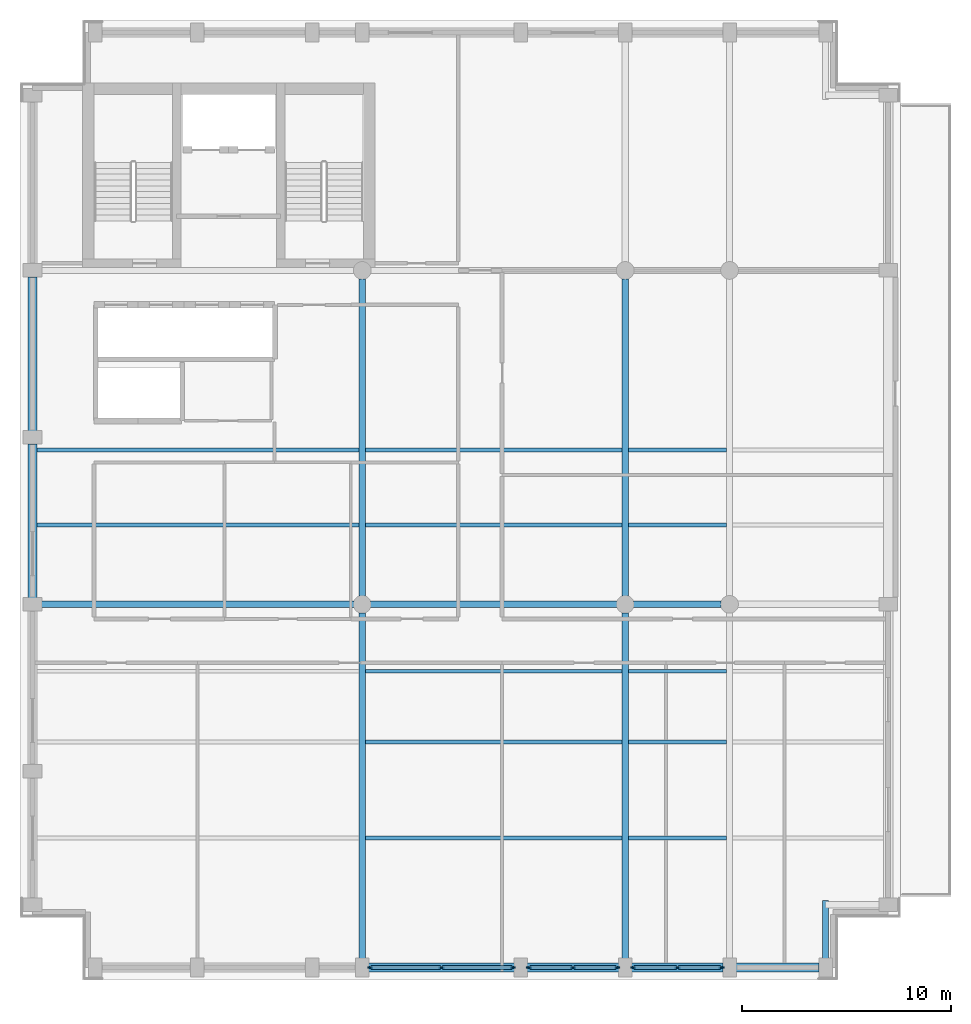
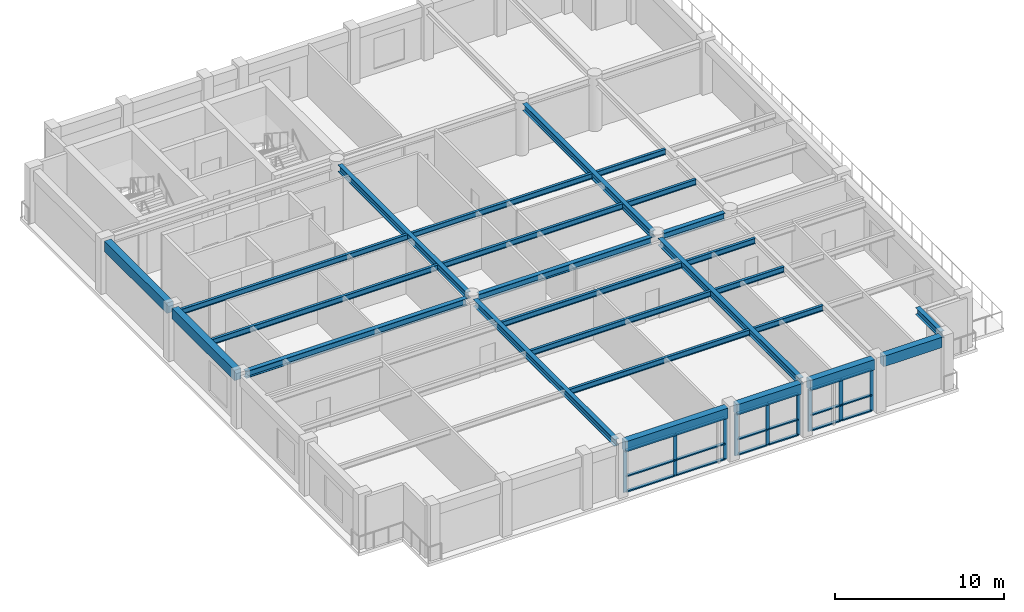
# One storey, part 2 of 9: 27 members, 26 beams, 3 elements without a shape of their own.
"""IFC4 building model written with IfcOpenShell, lengths in metres."""

import ifcopenshell
import ifcopenshell.guid

model = None  # the IFC model being written
_history = None  # IfcOwnerHistory: only IFC2X3 demands one
_inside = {}  # id of a spatial element -> (the spatial element, [elements in it])
_under = {}  # id of a project, library or spatial element -> (it, [spatial elements below it])
_declared = {}  # id of a project -> (the project, [libraries it declares])
_typed = {}  # id of a type object -> (the type object, [elements of that type])
_made_of = {}  # id of a material, layer set ... -> (it, [elements and type objects made of it])


def new_model(schema):
    """Start an empty IFC model of exactly this schema.

    Asked for "IFC4X3", IfcOpenShell would pick the latest addendum, in which some entities
    have other attributes; the version numbers below select the first issue.
    IFC2X3 requires an IfcOwnerHistory on every rooted entity: one is made here for all.
    """
    global model, _history
    if schema == "IFC4X3":
        model = ifcopenshell.file(schema_version=(4, 3, 0, 0))
    else:
        model = ifcopenshell.file(schema=schema)
    _inside.clear()
    _under.clear()
    _declared.clear()
    _typed.clear()
    _made_of.clear()
    _history = None
    if model.schema == "IFC2X3":
        org = make("IfcOrganization", Name="unknown")
        user = make(
            "IfcPersonAndOrganization",
            ThePerson=make("IfcPerson", FamilyName="unknown"),
            TheOrganization=org,
        )
        app = make(
            "IfcApplication",
            ApplicationDeveloper=org,
            Version="unknown",
            ApplicationFullName="unknown",
            ApplicationIdentifier="unknown",
        )
        _history = make(
            "IfcOwnerHistory",
            OwningUser=user,
            OwningApplication=app,
            ChangeAction="ADDED",
            CreationDate=0,
        )
    return model


def make(cls, **values):
    """One entity of the class cls with the attributes given. An attribute that is None is left unset."""
    return model.create_entity(
        cls, **{name: value for name, value in values.items() if value is not None}
    )


def rooted(cls, **values):
    """An entity with a GlobalId (a new one), such as an element, a storey or a relation."""
    return make(cls, GlobalId=ifcopenshell.guid.new(), OwnerHistory=_history, **values)


def si_unit(unit_type, name, prefix=None):
    """IfcSIUnit, for example si_unit("LENGTHUNIT", "METRE", prefix="MILLI")."""
    return make("IfcSIUnit", UnitType=unit_type, Prefix=prefix, Name=name)


def assignment(units):
    """IfcUnitAssignment: the units of a project."""
    return None if units is None else make("IfcUnitAssignment", Units=units)


def point(xyz):
    """IfcCartesianPoint."""
    return None if xyz is None else make("IfcCartesianPoint", Coordinates=xyz)


def direction(xyz):
    """IfcDirection."""
    return None if xyz is None else make("IfcDirection", DirectionRatios=xyz)


def frame(location, z_axis=None, x_axis=None):
    """IfcAxis2Placement3D, a coordinate frame: its origin and axes. An axis left out is left unset."""
    return make(
        "IfcAxis2Placement3D",
        Location=point(location),
        Axis=direction(z_axis),
        RefDirection=direction(x_axis),
    )


def frame_2d(location, x_axis=None):
    """IfcAxis2Placement2D, a coordinate frame in the plane: its origin and x axis."""
    return make(
        "IfcAxis2Placement2D", Location=point(location), RefDirection=direction(x_axis)
    )


def origin():
    """The frame at (0, 0, 0) with its axes left unset."""
    return frame((0.0, 0.0, 0.0))


def origin_2d():
    """The frame at (0, 0) in the plane with its x axis left unset."""
    return frame_2d((0.0, 0.0))


def place(relative_to, where):
    """IfcLocalPlacement: puts the frame where relative to a parent placement (None: the world)."""
    return make(
        "IfcLocalPlacement", PlacementRelTo=relative_to, RelativePlacement=where
    )


def context(
    kind, dimensions, precision=None, world=None, true_north=None, identifier=None
):
    """IfcGeometricRepresentationContext, for example the 3D "Model" context."""
    return make(
        "IfcGeometricRepresentationContext",
        ContextIdentifier=identifier,
        ContextType=kind,
        CoordinateSpaceDimension=dimensions,
        Precision=precision,
        WorldCoordinateSystem=world,
        TrueNorth=true_north,
    )


def subcontext(parent, identifier, kind, view, scale=None):
    """IfcGeometricRepresentationSubContext, for example "Body" below "Model"."""
    return make(
        "IfcGeometricRepresentationSubContext",
        ContextIdentifier=identifier,
        ContextType=kind,
        ParentContext=parent,
        TargetScale=scale,
        TargetView=view,
    )


def project(units=None, contexts=None):
    """IfcProject with its units and contexts."""
    return rooted(
        "IfcProject",
        Name="project",
        RepresentationContexts=contexts,
        UnitsInContext=assignment(units),
    )


def spatial(cls, under=None, at=None, **own):
    """A site, building, storey or space (cls), placed at a placement, below another one or the project."""
    s = rooted(cls, ObjectPlacement=at, **own)
    if under is not None:
        _under.setdefault(under.id(), (under, []))[1].append(s)
    return s


def profile(cls, at=None, kind="AREA", **sizes):
    """A parametric profile (cls). Its sizes go by their IFC names, for example OverallWidth=200.0."""
    return make(cls, ProfileType=kind, Position=at, **sizes)


def rectangle(**sizes):
    """IfcRectangleProfileDef."""
    return profile("IfcRectangleProfileDef", **sizes)


def i_section(**sizes):
    """IfcIShapeProfileDef."""
    return profile("IfcIShapeProfileDef", **sizes)


def extrude(swept, where, along, depth):
    """IfcExtrudedAreaSolid: the profile swept, set in the frame where, extruded along a direction by depth."""
    return make(
        "IfcExtrudedAreaSolid",
        SweptArea=swept,
        Position=where,
        ExtrudedDirection=direction(along),
        Depth=depth,
    )


def shape(context_of_items, identifier, shape_type, items):
    """IfcShapeRepresentation: the items that make up one representation, for example the "Body"."""
    return make(
        "IfcShapeRepresentation",
        ContextOfItems=context_of_items,
        RepresentationIdentifier=identifier,
        RepresentationType=shape_type,
        Items=items,
    )


def material(Name=None, Category=None):
    """IfcMaterial."""
    return make("IfcMaterial", Name=Name, Category=Category)


def layer(
    of_material, thickness, ventilated=None, Name=None, Category=None, Priority=None
):
    """IfcMaterialLayer: one layer of a wall or slab, of a material (None: an air gap)."""
    return make(
        "IfcMaterialLayer",
        Material=of_material,
        LayerThickness=thickness,
        IsVentilated=ventilated,
        Name=Name,
        Category=Category,
        Priority=Priority,
    )


def layer_set(layers, Name=None):
    """IfcMaterialLayerSet."""
    return make("IfcMaterialLayerSet", MaterialLayers=layers, LayerSetName=Name)


def material_profile(
    of_material, cross_section, Name=None, Category=None, Priority=None
):
    """IfcMaterialProfile: a cross section and its material."""
    return make(
        "IfcMaterialProfile",
        Name=Name,
        Material=of_material,
        Profile=cross_section,
        Priority=Priority,
        Category=Category,
    )


def profile_set(profiles, Name=None, composite=None):
    """IfcMaterialProfileSet."""
    return make(
        "IfcMaterialProfileSet",
        Name=Name,
        MaterialProfiles=profiles,
        CompositeProfile=composite,
    )


def made_of(thing, what):
    """Note that an element or type object is made of a material, layer set ...; save() writes the relation."""
    if what is not None:
        _made_of.setdefault(what.id(), (what, []))[1].append(thing)
    return thing


def type_object(cls, material=None, **own):
    """A type object (cls), such as IfcWallType, which elements share."""
    return made_of(rooted(cls, **own), material)


def element(
    cls,
    number,
    at=None,
    inside=None,
    cuts=None,
    type_object=None,
    material=None,
    context=None,
    identifier="Body",
    shape_type=None,
    held_by="IfcProductDefinitionShape",
    body=None,
    shapes=None,
    **own,
):
    """One element of the class cls, such as IfcWall. Its Tag is "e" and its number.

    at: its placement. inside: the storey or other place that contains it. cuts: it is an
    opening in that element (IfcRelVoidsElement). A single representation is given by context,
    identifier, shape_type and body (its items); several are given by shapes. held_by: the class
    of the entity that holds the representations. save() writes the other relations.
    """
    e = rooted(cls, Tag="e%d" % number, ObjectPlacement=at, **own)
    if body is not None:
        shapes = [shape(context, identifier, shape_type, body)]
    if shapes is not None:
        e.Representation = make(held_by, Representations=shapes)
    if inside is not None:
        _inside.setdefault(inside.id(), (inside, []))[1].append(e)
    if cuts is not None:
        rooted(
            "IfcRelVoidsElement", RelatingBuildingElement=cuts, RelatedOpeningElement=e
        )
    if type_object is not None:
        _typed.setdefault(type_object.id(), (type_object, []))[1].append(e)
    return made_of(e, material)


def aggregate(whole, parts):
    """IfcRelAggregates: a whole, such as a stair, and the parts it consists of."""
    return rooted("IfcRelAggregates", RelatingObject=whole, RelatedObjects=parts)


def save(model, path):
    """Write the relations noted so far, then the file.

    IfcRelAggregates (storeys below a building ...), IfcRelContainedInSpatialStructure (elements
    in a storey), IfcRelDefinesByType, IfcRelAssociatesMaterial and IfcRelDeclares: one each for
    every whole, place, type object, material and project.
    """
    for whole, parts in _under.values():
        aggregate(whole, parts)
    for where, things in _inside.values():
        rooted(
            "IfcRelContainedInSpatialStructure",
            RelatedElements=things,
            RelatingStructure=where,
        )
    for kind, things in _typed.values():
        rooted("IfcRelDefinesByType", RelatedObjects=things, RelatingType=kind)
    for what, things in _made_of.values():
        rooted("IfcRelAssociatesMaterial", RelatedObjects=things, RelatingMaterial=what)
    for by, libraries in _declared.values():
        rooted("IfcRelDeclares", RelatingContext=by, RelatedDefinitions=libraries)
    model.write(path)


model = new_model("IFC4")

# Units and contexts
model_context = context("Model", 3, precision=1e-05, world=origin(), true_north=direction((0.0, 1.0)))
body_context = subcontext(model_context, "Body", "Model", "MODEL_VIEW")
ifc_project = project(units=[si_unit("LENGTHUNIT", "METRE"), si_unit("AREAUNIT", "SQUARE_METRE"), si_unit("VOLUMEUNIT", "CUBIC_METRE"), si_unit("PLANEANGLEUNIT", "RADIAN"), si_unit("MASSUNIT", "GRAM", prefix="KILO")], contexts=[model_context])

# Site, building, storey
site_placement = place(None, origin())
site = spatial("IfcSite", under=ifc_project, at=site_placement, CompositionType="ELEMENT")
building_placement = place(site_placement, origin())
building = spatial("IfcBuilding", under=site, at=building_placement, Name="Sulina Concourse Tower", CompositionType="ELEMENT")
storey_placement = place(building_placement, frame((0.0, 0.0, 297.0)))
storey = spatial("IfcBuildingStorey", under=building, at=storey_placement, Name="L72", CompositionType="ELEMENT", Elevation=297.0)

# Beams
ifc_material_1 = material(Name="Steel S355", Category="steel")
ifc_material_profile_1 = material_profile(ifc_material_1, i_section(OverallWidth=0.300048828125, OverallDepth=0.5, WebThickness=0.014404296875, FlangeThickness=0.028076171875, at=origin_2d()), Name="HE 500 B")
ifc_profile_set_1 = profile_set([ifc_material_profile_1], Name="Steel S355")
beam_type_1 = type_object("IfcBeamType", Name="Crown & Canopy Primary Girder HE500B", PredefinedType="BEAM", material=ifc_profile_set_1)
beam_1_placement = place(storey_placement, frame((38.60009765625, 0.905029296875, 3.52490234375), z_axis=(0.0, 1.0, 0.0), x_axis=(-1.0, 0.0, 0.0)))
element("IfcBeam", 1, at=beam_1_placement, inside=storey, type_object=beam_type_1, Name="TIE-SES-L72", PredefinedType="BEAM", context=body_context, shape_type="SweptSolid", body=[
    extrude(i_section(OverallWidth=0.300048828125, OverallDepth=0.5, WebThickness=0.014404296875, FlangeThickness=0.028076171875, at=origin_2d()), origin(), (0.0, 0.0, 1.0), 2.89501953125),
])
beam_2_placement = place(storey_placement, frame((0.905029296875, 18.0, 3.52490234375), z_axis=(1.0, 0.0, 0.0), x_axis=(0.0, 1.0, 0.0)))
element("IfcBeam", 2, at=beam_2_placement, inside=storey, type_object=beam_type_1, Name="FG-EW1-L72", PredefinedType="BEAM", context=body_context, shape_type="SweptSolid", body=[
    extrude(i_section(OverallWidth=0.300048828125, OverallDepth=0.5, WebThickness=0.014404296875, FlangeThickness=0.028076171875, at=origin_2d()), origin(), (0.0, 0.0, 1.0), 15.090087890625),
])
beam_3_placement = place(storey_placement, frame((16.804931640625, 18.0, 3.52490234375), z_axis=(1.0, 0.0, 0.0), x_axis=(0.0, 1.0, 0.0)))
element("IfcBeam", 3, at=beam_3_placement, inside=storey, type_object=beam_type_1, Name="FG-EW2-L72", PredefinedType="BEAM", context=body_context, shape_type="SweptSolid", body=[
    extrude(i_section(OverallWidth=0.300048828125, OverallDepth=0.5, WebThickness=0.014404296875, FlangeThickness=0.028076171875, at=origin_2d()), origin(), (0.0, 0.0, 1.0), 11.7900390625),
])
beam_4_placement = place(storey_placement, frame((29.405029296875, 18.0, 3.52490234375), z_axis=(1.0, 0.0, 0.0), x_axis=(0.0, 1.0, 0.0)))
element("IfcBeam", 4, at=beam_4_placement, inside=storey, type_object=beam_type_1, Name="FG-EW3-L72", PredefinedType="BEAM", context=body_context, shape_type="SweptSolid", body=[
    extrude(i_section(OverallWidth=0.300048828125, OverallDepth=0.5, WebThickness=0.014404296875, FlangeThickness=0.028076171875, at=origin_2d()), origin(), (0.0, 0.0, 1.0), 4.18994140625),
])
beam_5_placement = place(storey_placement, frame((16.39990234375, 0.905029296875, 3.52490234375), z_axis=(0.0, 1.0, 0.0), x_axis=(-1.0, 0.0, 0.0)))
element("IfcBeam", 5, at=beam_5_placement, inside=storey, type_object=beam_type_1, Name="FG-NSA-16-L72", PredefinedType="BEAM", context=body_context, shape_type="SweptSolid", body=[
    extrude(i_section(OverallWidth=0.300048828125, OverallDepth=0.5, WebThickness=0.014404296875, FlangeThickness=0.028076171875, at=origin_2d()), origin(), (0.0, 0.0, 1.0), 16.68994140625),
])
beam_6_placement = place(storey_placement, frame((16.39990234375, 18.405029296875, 3.52490234375), z_axis=(0.0, 1.0, 0.0), x_axis=(-1.0, 0.0, 0.0)))
element("IfcBeam", 6, at=beam_6_placement, inside=storey, type_object=beam_type_1, Name="FG-NSB-16-L72", PredefinedType="BEAM", context=body_context, shape_type="SweptSolid", body=[
    extrude(i_section(OverallWidth=0.300048828125, OverallDepth=0.5, WebThickness=0.014404296875, FlangeThickness=0.028076171875, at=origin_2d()), origin(), (0.0, 0.0, 1.0), 15.18994140625),
])
beam_7_placement = place(storey_placement, frame((29.0, 0.905029296875, 3.52490234375), z_axis=(0.0, 1.0, 0.0), x_axis=(-1.0, 0.0, 0.0)))
element("IfcBeam", 7, at=beam_7_placement, inside=storey, type_object=beam_type_1, Name="FG-NSA-29-L72", PredefinedType="BEAM", context=body_context, shape_type="SweptSolid", body=[
    extrude(i_section(OverallWidth=0.300048828125, OverallDepth=0.5, WebThickness=0.014404296875, FlangeThickness=0.028076171875, at=origin_2d()), origin(), (0.0, 0.0, 1.0), 16.68994140625),
])
beam_8_placement = place(storey_placement, frame((29.0, 18.405029296875, 3.52490234375), z_axis=(0.0, 1.0, 0.0), x_axis=(-1.0, 0.0, 0.0)))
element("IfcBeam", 8, at=beam_8_placement, inside=storey, type_object=beam_type_1, Name="FG-NSB-29-L72", PredefinedType="BEAM", context=body_context, shape_type="SweptSolid", body=[
    extrude(i_section(OverallWidth=0.300048828125, OverallDepth=0.5, WebThickness=0.014404296875, FlangeThickness=0.028076171875, at=origin_2d()), origin(), (0.0, 0.0, 1.0), 15.18994140625),
])
ifc_material_2 = material(Name="Steel S355", Category="steel")
ifc_material_profile_2 = material_profile(ifc_material_2, i_section(OverallWidth=0.179931640625, OverallDepth=0.39990234375, WebThickness=0.008544921875, FlangeThickness=0.013427734375, at=origin_2d()), Name="IPE 400")
ifc_profile_set_2 = profile_set([ifc_material_profile_2], Name="Steel S355")
beam_type_2 = type_object("IfcBeamType", Name="Crown & Terrace Joist IPE400", PredefinedType="JOIST", material=ifc_profile_set_2)
beam_9_placement = place(storey_placement, frame((16.550048828125, 6.800048828125, 3.574951171875), z_axis=(1.0, 0.0, 0.0), x_axis=(0.0, 1.0, 0.0)))
element("IfcBeam", 9, at=beam_9_placement, inside=storey, type_object=beam_type_2, Name="FJ-J06-2-L72", PredefinedType="JOIST", context=body_context, shape_type="SweptSolid", body=[
    extrude(i_section(OverallWidth=0.179931640625, OverallDepth=0.39990234375, WebThickness=0.008544921875, FlangeThickness=0.013427734375, at=origin_2d()), origin(), (0.0, 0.0, 1.0), 12.300048828125),
])
beam_10_placement = place(storey_placement, frame((29.14990234375, 6.800048828125, 3.574951171875), z_axis=(1.0, 0.0, 0.0), x_axis=(0.0, 1.0, 0.0)))
element("IfcBeam", 10, at=beam_10_placement, inside=storey, type_object=beam_type_2, Name="FJ-J06-3-L72", PredefinedType="JOIST", context=body_context, shape_type="SweptSolid", body=[
    extrude(i_section(OverallWidth=0.179931640625, OverallDepth=0.39990234375, WebThickness=0.008544921875, FlangeThickness=0.013427734375, at=origin_2d()), origin(), (0.0, 0.0, 1.0), 4.7001953125),
])
beam_11_placement = place(storey_placement, frame((16.550048828125, 11.39990234375, 3.574951171875), z_axis=(1.0, 0.0, 0.0), x_axis=(0.0, 1.0, 0.0)))
element("IfcBeam", 11, at=beam_11_placement, inside=storey, type_object=beam_type_2, Name="FJ-J11-2-L72", PredefinedType="JOIST", context=body_context, shape_type="SweptSolid", body=[
    extrude(i_section(OverallWidth=0.179931640625, OverallDepth=0.39990234375, WebThickness=0.008544921875, FlangeThickness=0.013427734375, at=origin_2d()), origin(), (0.0, 0.0, 1.0), 12.300048828125),
])
beam_12_placement = place(storey_placement, frame((29.14990234375, 11.39990234375, 3.574951171875), z_axis=(1.0, 0.0, 0.0), x_axis=(0.0, 1.0, 0.0)))
element("IfcBeam", 12, at=beam_12_placement, inside=storey, type_object=beam_type_2, Name="FJ-J11-3-L72", PredefinedType="JOIST", context=body_context, shape_type="SweptSolid", body=[
    extrude(i_section(OverallWidth=0.179931640625, OverallDepth=0.39990234375, WebThickness=0.008544921875, FlangeThickness=0.013427734375, at=origin_2d()), origin(), (0.0, 0.0, 1.0), 4.7001953125),
])
beam_13_placement = place(storey_placement, frame((16.550048828125, 14.800048828125, 3.574951171875), z_axis=(1.0, 0.0, 0.0), x_axis=(0.0, 1.0, 0.0)))
element("IfcBeam", 13, at=beam_13_placement, inside=storey, type_object=beam_type_2, Name="FJ-J15-2-L72", PredefinedType="JOIST", context=body_context, shape_type="SweptSolid", body=[
    extrude(i_section(OverallWidth=0.179931640625, OverallDepth=0.39990234375, WebThickness=0.008544921875, FlangeThickness=0.013427734375, at=origin_2d()), origin(), (0.0, 0.0, 1.0), 12.300048828125),
])
beam_14_placement = place(storey_placement, frame((29.14990234375, 14.800048828125, 3.574951171875), z_axis=(1.0, 0.0, 0.0), x_axis=(0.0, 1.0, 0.0)))
element("IfcBeam", 14, at=beam_14_placement, inside=storey, type_object=beam_type_2, Name="FJ-J15-3-L72", PredefinedType="JOIST", context=body_context, shape_type="SweptSolid", body=[
    extrude(i_section(OverallWidth=0.179931640625, OverallDepth=0.39990234375, WebThickness=0.008544921875, FlangeThickness=0.013427734375, at=origin_2d()), origin(), (0.0, 0.0, 1.0), 4.7001953125),
])
beam_15_placement = place(storey_placement, frame((0.824951171875, 21.800048828125, 3.574951171875), z_axis=(1.0, 0.0, 0.0), x_axis=(0.0, 1.0, 0.0)))
element("IfcBeam", 15, at=beam_15_placement, inside=storey, type_object=beam_type_2, Name="FJ-J22-1-L72", PredefinedType="JOIST", context=body_context, shape_type="SweptSolid", body=[
    extrude(i_section(OverallWidth=0.179931640625, OverallDepth=0.39990234375, WebThickness=0.008544921875, FlangeThickness=0.013427734375, at=origin_2d()), origin(), (0.0, 0.0, 1.0), 15.425048828125),
])
beam_16_placement = place(storey_placement, frame((16.550048828125, 21.800048828125, 3.574951171875), z_axis=(1.0, 0.0, 0.0), x_axis=(0.0, 1.0, 0.0)))
element("IfcBeam", 16, at=beam_16_placement, inside=storey, type_object=beam_type_2, Name="FJ-J22-2-L72", PredefinedType="JOIST", context=body_context, shape_type="SweptSolid", body=[
    extrude(i_section(OverallWidth=0.179931640625, OverallDepth=0.39990234375, WebThickness=0.008544921875, FlangeThickness=0.013427734375, at=origin_2d()), origin(), (0.0, 0.0, 1.0), 12.300048828125),
])
beam_17_placement = place(storey_placement, frame((29.14990234375, 21.800048828125, 3.574951171875), z_axis=(1.0, 0.0, 0.0), x_axis=(0.0, 1.0, 0.0)))
element("IfcBeam", 17, at=beam_17_placement, inside=storey, type_object=beam_type_2, Name="FJ-J22-3-L72", PredefinedType="JOIST", context=body_context, shape_type="SweptSolid", body=[
    extrude(i_section(OverallWidth=0.179931640625, OverallDepth=0.39990234375, WebThickness=0.008544921875, FlangeThickness=0.013427734375, at=origin_2d()), origin(), (0.0, 0.0, 1.0), 4.7001953125),
])
beam_18_placement = place(storey_placement, frame((0.824951171875, 25.39990234375, 3.574951171875), z_axis=(1.0, 0.0, 0.0), x_axis=(0.0, 1.0, 0.0)))
element("IfcBeam", 18, at=beam_18_placement, inside=storey, type_object=beam_type_2, Name="FJ-J25-1-L72", PredefinedType="JOIST", context=body_context, shape_type="SweptSolid", body=[
    extrude(i_section(OverallWidth=0.179931640625, OverallDepth=0.39990234375, WebThickness=0.008544921875, FlangeThickness=0.013427734375, at=origin_2d()), origin(), (0.0, 0.0, 1.0), 15.425048828125),
])
beam_19_placement = place(storey_placement, frame((16.550048828125, 25.39990234375, 3.574951171875), z_axis=(1.0, 0.0, 0.0), x_axis=(0.0, 1.0, 0.0)))
element("IfcBeam", 19, at=beam_19_placement, inside=storey, type_object=beam_type_2, Name="FJ-J25-2-L72", PredefinedType="JOIST", context=body_context, shape_type="SweptSolid", body=[
    extrude(i_section(OverallWidth=0.179931640625, OverallDepth=0.39990234375, WebThickness=0.008544921875, FlangeThickness=0.013427734375, at=origin_2d()), origin(), (0.0, 0.0, 1.0), 12.300048828125),
])
beam_20_placement = place(storey_placement, frame((29.14990234375, 25.39990234375, 3.574951171875), z_axis=(1.0, 0.0, 0.0), x_axis=(0.0, 1.0, 0.0)))
element("IfcBeam", 20, at=beam_20_placement, inside=storey, type_object=beam_type_2, Name="FJ-J25-3-L72", PredefinedType="JOIST", context=body_context, shape_type="SweptSolid", body=[
    extrude(i_section(OverallWidth=0.179931640625, OverallDepth=0.39990234375, WebThickness=0.008544921875, FlangeThickness=0.013427734375, at=origin_2d()), origin(), (0.0, 0.0, 1.0), 4.7001953125),
])

# Curtain wall, members
ifc_material_3 = material(Name="Anodised bronze aluminium", Category="aluminium")
ifc_layer = layer(ifc_material_3, 0.27001953125)
ifc_layer_set = layer_set([ifc_layer], Name="Anodised bronze aluminium")
curtain_wall_type = type_object("IfcCurtainWallType", Name="Stepped Crown Observation Curtain Wall System", PredefinedType="NOTDEFINED", material=ifc_layer_set)
curtain_wall_1_placement = place(storey_placement, origin())
curtain_wall_1 = element("IfcCurtainWall", 21, at=curtain_wall_1_placement, inside=storey, type_object=curtain_wall_type, Name="L72 glazed curtain wall S4", PredefinedType="NOTDEFINED")
ifc_material_4 = material(Name="Anodised bronze aluminium", Category="aluminium")
ifc_material_profile_3 = material_profile(ifc_material_4, rectangle(XDim=0.0849609375, YDim=0.25, at=origin_2d()), Name="MUL 85x250")
ifc_profile_set_3 = profile_set([ifc_material_profile_3], Name="Anodised bronze aluminium")
member_type_1 = type_object("IfcMemberType", Name="Stepped Crown Observation Curtain Wall System Mullion 85x250", PredefinedType="MULLION", material=ifc_profile_set_3)
member_1_placement = place(storey_placement, frame((23.612548828125, 0.60009765625, 0.0), z_axis=(0.0, 0.0, 1.0), x_axis=(0.0, -1.0, 0.0)))
member_1 = element("IfcMember", 22, at=member_1_placement, type_object=member_type_1, Name="CW-06 mullion 1", PredefinedType="MULLION", context=body_context, shape_type="SweptSolid", body=[
    extrude(rectangle(XDim=0.0849609375, YDim=0.25, at=origin_2d()), origin(), (0.0, 0.0, 1.0), 3.02490234375),
])
member_2_placement = place(storey_placement, frame((20.199951171875, 0.60009765625, 0.0), z_axis=(0.0, 0.0, 1.0), x_axis=(0.0, -1.0, 0.0)))
member_2 = element("IfcMember", 23, at=member_2_placement, type_object=member_type_1, Name="CW-06 mullion 2", PredefinedType="MULLION", context=body_context, shape_type="SweptSolid", body=[
    extrude(rectangle(XDim=0.0849609375, YDim=0.25, at=origin_2d()), origin(), (0.0, 0.0, 1.0), 3.02490234375),
])
member_3_placement = place(storey_placement, frame((16.78759765625, 0.60009765625, 0.0), z_axis=(0.0, 0.0, 1.0), x_axis=(0.0, -1.0, 0.0)))
member_3 = element("IfcMember", 24, at=member_3_placement, type_object=member_type_1, Name="CW-06 mullion 3", PredefinedType="MULLION", context=body_context, shape_type="SweptSolid", body=[
    extrude(rectangle(XDim=0.0849609375, YDim=0.25, at=origin_2d()), origin(), (0.0, 0.0, 1.0), 3.02490234375),
])

curtain_wall_2_placement = place(storey_placement, origin())
curtain_wall_2 = element("IfcCurtainWall", 25, at=curtain_wall_2_placement, inside=storey, type_object=curtain_wall_type, Name="L72 glazed curtain wall S5", PredefinedType="NOTDEFINED")
member_4_placement = place(storey_placement, frame((28.612548828125, 0.60009765625, 0.0), z_axis=(0.0, 0.0, 1.0), x_axis=(0.0, -1.0, 0.0)))
member_4 = element("IfcMember", 26, at=member_4_placement, type_object=member_type_1, Name="CW-06 mullion 1", PredefinedType="MULLION", context=body_context, shape_type="SweptSolid", body=[
    extrude(rectangle(XDim=0.0849609375, YDim=0.25, at=origin_2d()), origin(), (0.0, 0.0, 1.0), 3.02490234375),
])
member_5_placement = place(storey_placement, frame((26.5, 0.60009765625, 0.0), z_axis=(0.0, 0.0, 1.0), x_axis=(0.0, -1.0, 0.0)))
member_5 = element("IfcMember", 27, at=member_5_placement, type_object=member_type_1, Name="CW-06 mullion 2", PredefinedType="MULLION", context=body_context, shape_type="SweptSolid", body=[
    extrude(rectangle(XDim=0.0849609375, YDim=0.25, at=origin_2d()), origin(), (0.0, 0.0, 1.0), 3.02490234375),
])
member_6_placement = place(storey_placement, frame((24.387451171875, 0.60009765625, 0.0), z_axis=(0.0, 0.0, 1.0), x_axis=(0.0, -1.0, 0.0)))
member_6 = element("IfcMember", 28, at=member_6_placement, type_object=member_type_1, Name="CW-06 mullion 3", PredefinedType="MULLION", context=body_context, shape_type="SweptSolid", body=[
    extrude(rectangle(XDim=0.0849609375, YDim=0.25, at=origin_2d()), origin(), (0.0, 0.0, 1.0), 3.02490234375),
])

curtain_wall_3_placement = place(storey_placement, origin())
curtain_wall_3 = element("IfcCurtainWall", 29, at=curtain_wall_3_placement, inside=storey, type_object=curtain_wall_type, Name="L72 glazed curtain wall S6", PredefinedType="NOTDEFINED")
member_7_placement = place(storey_placement, frame((33.612548828125, 0.60009765625, 0.0), z_axis=(0.0, 0.0, 1.0), x_axis=(0.0, -1.0, 0.0)))
member_7 = element("IfcMember", 30, at=member_7_placement, type_object=member_type_1, Name="CW-06 mullion 1", PredefinedType="MULLION", context=body_context, shape_type="SweptSolid", body=[
    extrude(rectangle(XDim=0.0849609375, YDim=0.25, at=origin_2d()), origin(), (0.0, 0.0, 1.0), 3.02490234375),
])
member_8_placement = place(storey_placement, frame((31.5, 0.60009765625, 0.0), z_axis=(0.0, 0.0, 1.0), x_axis=(0.0, -1.0, 0.0)))
member_8 = element("IfcMember", 31, at=member_8_placement, type_object=member_type_1, Name="CW-06 mullion 2", PredefinedType="MULLION", context=body_context, shape_type="SweptSolid", body=[
    extrude(rectangle(XDim=0.0849609375, YDim=0.25, at=origin_2d()), origin(), (0.0, 0.0, 1.0), 3.02490234375),
])
member_9_placement = place(storey_placement, frame((29.387451171875, 0.60009765625, 0.0), z_axis=(0.0, 0.0, 1.0), x_axis=(0.0, -1.0, 0.0)))
member_9 = element("IfcMember", 32, at=member_9_placement, type_object=member_type_1, Name="CW-06 mullion 3", PredefinedType="MULLION", context=body_context, shape_type="SweptSolid", body=[
    extrude(rectangle(XDim=0.0849609375, YDim=0.25, at=origin_2d()), origin(), (0.0, 0.0, 1.0), 3.02490234375),
])

# Member
ifc_material_5 = material(Name="Anodised bronze aluminium", Category="aluminium")
ifc_material_profile_4 = material_profile(ifc_material_5, rectangle(XDim=0.205078125, YDim=0.0849609375, at=origin_2d()), Name="TRN 85x205")
ifc_profile_set_4 = profile_set([ifc_material_profile_4], Name="Anodised bronze aluminium")
member_type_2 = type_object("IfcMemberType", Name="Stepped Crown Observation Curtain Wall System Transom 85x205", PredefinedType="USERDEFINED", material=ifc_profile_set_4)
member_10_placement = place(storey_placement, frame((23.570068359375, 0.60009765625, 0.04248046875), z_axis=(-1.0, 0.0, 0.0), x_axis=(0.0, -1.0, 0.0)))
member_10 = element("IfcMember", 33, at=member_10_placement, type_object=member_type_2, Name="CW-06 transom 1.1", ObjectType="TRANSOM", PredefinedType="USERDEFINED", context=body_context, shape_type="SweptSolid", body=[
    extrude(rectangle(XDim=0.205078125, YDim=0.0849609375, at=origin_2d()), origin(), (0.0, 0.0, 1.0), 3.32763671875),
])

member_11_placement = place(storey_placement, frame((23.570068359375, 0.60009765625, 1.1494140625), z_axis=(-1.0, 0.0, 0.0), x_axis=(0.0, -1.0, 0.0)))
member_11 = element("IfcMember", 34, at=member_11_placement, type_object=member_type_2, Name="CW-06 transom 1.2", ObjectType="TRANSOM", PredefinedType="USERDEFINED", context=body_context, shape_type="SweptSolid", body=[
    extrude(rectangle(XDim=0.205078125, YDim=0.0849609375, at=origin_2d()), origin(), (0.0, 0.0, 1.0), 3.32763671875),
])

member_12_placement = place(storey_placement, frame((23.570068359375, 0.60009765625, 2.982421875), z_axis=(-1.0, 0.0, 0.0), x_axis=(0.0, -1.0, 0.0)))
member_12 = element("IfcMember", 35, at=member_12_placement, type_object=member_type_2, Name="CW-06 transom 1.3", ObjectType="TRANSOM", PredefinedType="USERDEFINED", context=body_context, shape_type="SweptSolid", body=[
    extrude(rectangle(XDim=0.205078125, YDim=0.0849609375, at=origin_2d()), origin(), (0.0, 0.0, 1.0), 3.32763671875),
])

member_13_placement = place(storey_placement, frame((20.157470703125, 0.60009765625, 0.04248046875), z_axis=(-1.0, 0.0, 0.0), x_axis=(0.0, -1.0, 0.0)))
member_13 = element("IfcMember", 36, at=member_13_placement, type_object=member_type_2, Name="CW-06 transom 2.1", ObjectType="TRANSOM", PredefinedType="USERDEFINED", context=body_context, shape_type="SweptSolid", body=[
    extrude(rectangle(XDim=0.205078125, YDim=0.0849609375, at=origin_2d()), origin(), (0.0, 0.0, 1.0), 3.327392578125),
])

member_14_placement = place(storey_placement, frame((20.157470703125, 0.60009765625, 1.1494140625), z_axis=(-1.0, 0.0, 0.0), x_axis=(0.0, -1.0, 0.0)))
member_14 = element("IfcMember", 37, at=member_14_placement, type_object=member_type_2, Name="CW-06 transom 2.2", ObjectType="TRANSOM", PredefinedType="USERDEFINED", context=body_context, shape_type="SweptSolid", body=[
    extrude(rectangle(XDim=0.205078125, YDim=0.0849609375, at=origin_2d()), origin(), (0.0, 0.0, 1.0), 3.327392578125),
])

member_15_placement = place(storey_placement, frame((20.157470703125, 0.60009765625, 2.982421875), z_axis=(-1.0, 0.0, 0.0), x_axis=(0.0, -1.0, 0.0)))
member_15 = element("IfcMember", 38, at=member_15_placement, type_object=member_type_2, Name="CW-06 transom 2.3", ObjectType="TRANSOM", PredefinedType="USERDEFINED", context=body_context, shape_type="SweptSolid", body=[
    extrude(rectangle(XDim=0.205078125, YDim=0.0849609375, at=origin_2d()), origin(), (0.0, 0.0, 1.0), 3.327392578125),
])

aggregate(curtain_wall_1, [member_1, member_2, member_3, member_10, member_11, member_12, member_13, member_14, member_15])

member_16_placement = place(storey_placement, frame((28.570068359375, 0.60009765625, 0.04248046875), z_axis=(-1.0, 0.0, 0.0), x_axis=(0.0, -1.0, 0.0)))
member_16 = element("IfcMember", 39, at=member_16_placement, type_object=member_type_2, Name="CW-06 transom 1.1", ObjectType="TRANSOM", PredefinedType="USERDEFINED", context=body_context, shape_type="SweptSolid", body=[
    extrude(rectangle(XDim=0.205078125, YDim=0.0849609375, at=origin_2d()), origin(), (0.0, 0.0, 1.0), 2.027587890625),
])

member_17_placement = place(storey_placement, frame((28.570068359375, 0.60009765625, 1.1494140625), z_axis=(-1.0, 0.0, 0.0), x_axis=(0.0, -1.0, 0.0)))
member_17 = element("IfcMember", 40, at=member_17_placement, type_object=member_type_2, Name="CW-06 transom 1.2", ObjectType="TRANSOM", PredefinedType="USERDEFINED", context=body_context, shape_type="SweptSolid", body=[
    extrude(rectangle(XDim=0.205078125, YDim=0.0849609375, at=origin_2d()), origin(), (0.0, 0.0, 1.0), 2.027587890625),
])

member_18_placement = place(storey_placement, frame((28.570068359375, 0.60009765625, 2.982421875), z_axis=(-1.0, 0.0, 0.0), x_axis=(0.0, -1.0, 0.0)))
member_18 = element("IfcMember", 41, at=member_18_placement, type_object=member_type_2, Name="CW-06 transom 1.3", ObjectType="TRANSOM", PredefinedType="USERDEFINED", context=body_context, shape_type="SweptSolid", body=[
    extrude(rectangle(XDim=0.205078125, YDim=0.0849609375, at=origin_2d()), origin(), (0.0, 0.0, 1.0), 2.027587890625),
])

member_19_placement = place(storey_placement, frame((26.45751953125, 0.60009765625, 0.04248046875), z_axis=(-1.0, 0.0, 0.0), x_axis=(0.0, -1.0, 0.0)))
member_19 = element("IfcMember", 42, at=member_19_placement, type_object=member_type_2, Name="CW-06 transom 2.1", ObjectType="TRANSOM", PredefinedType="USERDEFINED", context=body_context, shape_type="SweptSolid", body=[
    extrude(rectangle(XDim=0.205078125, YDim=0.0849609375, at=origin_2d()), origin(), (0.0, 0.0, 1.0), 2.027587890625),
])

member_20_placement = place(storey_placement, frame((26.45751953125, 0.60009765625, 1.1494140625), z_axis=(-1.0, 0.0, 0.0), x_axis=(0.0, -1.0, 0.0)))
member_20 = element("IfcMember", 43, at=member_20_placement, type_object=member_type_2, Name="CW-06 transom 2.2", ObjectType="TRANSOM", PredefinedType="USERDEFINED", context=body_context, shape_type="SweptSolid", body=[
    extrude(rectangle(XDim=0.205078125, YDim=0.0849609375, at=origin_2d()), origin(), (0.0, 0.0, 1.0), 2.027587890625),
])

member_21_placement = place(storey_placement, frame((26.45751953125, 0.60009765625, 2.982421875), z_axis=(-1.0, 0.0, 0.0), x_axis=(0.0, -1.0, 0.0)))
member_21 = element("IfcMember", 44, at=member_21_placement, type_object=member_type_2, Name="CW-06 transom 2.3", ObjectType="TRANSOM", PredefinedType="USERDEFINED", context=body_context, shape_type="SweptSolid", body=[
    extrude(rectangle(XDim=0.205078125, YDim=0.0849609375, at=origin_2d()), origin(), (0.0, 0.0, 1.0), 2.027587890625),
])

aggregate(curtain_wall_2, [member_4, member_5, member_6, member_16, member_17, member_18, member_19, member_20, member_21])

member_22_placement = place(storey_placement, frame((33.570068359375, 0.60009765625, 0.04248046875), z_axis=(-1.0, 0.0, 0.0), x_axis=(0.0, -1.0, 0.0)))
member_22 = element("IfcMember", 45, at=member_22_placement, type_object=member_type_2, Name="CW-06 transom 1.1", ObjectType="TRANSOM", PredefinedType="USERDEFINED", context=body_context, shape_type="SweptSolid", body=[
    extrude(rectangle(XDim=0.205078125, YDim=0.0849609375, at=origin_2d()), origin(), (0.0, 0.0, 1.0), 2.027587890625),
])

member_23_placement = place(storey_placement, frame((33.570068359375, 0.60009765625, 1.1494140625), z_axis=(-1.0, 0.0, 0.0), x_axis=(0.0, -1.0, 0.0)))
member_23 = element("IfcMember", 46, at=member_23_placement, type_object=member_type_2, Name="CW-06 transom 1.2", ObjectType="TRANSOM", PredefinedType="USERDEFINED", context=body_context, shape_type="SweptSolid", body=[
    extrude(rectangle(XDim=0.205078125, YDim=0.0849609375, at=origin_2d()), origin(), (0.0, 0.0, 1.0), 2.027587890625),
])

member_24_placement = place(storey_placement, frame((33.570068359375, 0.60009765625, 2.982421875), z_axis=(-1.0, 0.0, 0.0), x_axis=(0.0, -1.0, 0.0)))
member_24 = element("IfcMember", 47, at=member_24_placement, type_object=member_type_2, Name="CW-06 transom 1.3", ObjectType="TRANSOM", PredefinedType="USERDEFINED", context=body_context, shape_type="SweptSolid", body=[
    extrude(rectangle(XDim=0.205078125, YDim=0.0849609375, at=origin_2d()), origin(), (0.0, 0.0, 1.0), 2.027587890625),
])

member_25_placement = place(storey_placement, frame((31.45751953125, 0.60009765625, 0.04248046875), z_axis=(-1.0, 0.0, 0.0), x_axis=(0.0, -1.0, 0.0)))
member_25 = element("IfcMember", 48, at=member_25_placement, type_object=member_type_2, Name="CW-06 transom 2.1", ObjectType="TRANSOM", PredefinedType="USERDEFINED", context=body_context, shape_type="SweptSolid", body=[
    extrude(rectangle(XDim=0.205078125, YDim=0.0849609375, at=origin_2d()), origin(), (0.0, 0.0, 1.0), 2.027587890625),
])

member_26_placement = place(storey_placement, frame((31.45751953125, 0.60009765625, 1.1494140625), z_axis=(-1.0, 0.0, 0.0), x_axis=(0.0, -1.0, 0.0)))
member_26 = element("IfcMember", 49, at=member_26_placement, type_object=member_type_2, Name="CW-06 transom 2.2", ObjectType="TRANSOM", PredefinedType="USERDEFINED", context=body_context, shape_type="SweptSolid", body=[
    extrude(rectangle(XDim=0.205078125, YDim=0.0849609375, at=origin_2d()), origin(), (0.0, 0.0, 1.0), 2.027587890625),
])

member_27_placement = place(storey_placement, frame((31.45751953125, 0.60009765625, 2.982421875), z_axis=(-1.0, 0.0, 0.0), x_axis=(0.0, -1.0, 0.0)))
member_27 = element("IfcMember", 50, at=member_27_placement, type_object=member_type_2, Name="CW-06 transom 2.3", ObjectType="TRANSOM", PredefinedType="USERDEFINED", context=body_context, shape_type="SweptSolid", body=[
    extrude(rectangle(XDim=0.205078125, YDim=0.0849609375, at=origin_2d()), origin(), (0.0, 0.0, 1.0), 2.027587890625),
])

aggregate(curtain_wall_3, [member_7, member_8, member_9, member_22, member_23, member_24, member_25, member_26, member_27])

# Beams
ifc_material_6 = material(Name="Precast concrete C50/60", Category="concrete")
ifc_material_profile_5 = material_profile(ifc_material_6, rectangle(XDim=0.449951171875, YDim=0.75, at=origin_2d()), Name="RC 450x750")
ifc_profile_set_5 = profile_set([ifc_material_profile_5], Name="Precast concrete C50/60")
beam_type_3 = type_object("IfcBeamType", Name="Upper Precast Spandrel Edge Beam 450x750", PredefinedType="BEAM", material=ifc_profile_set_5)
beam_21_placement = place(storey_placement, frame((16.705078125, 0.60009765625, 3.39990234375), z_axis=(1.0, 0.0, 0.0), x_axis=(0.0, 1.0, 0.0)))
element("IfcBeam", 51, at=beam_21_placement, inside=storey, type_object=beam_type_3, Name="SP-S4-L72", PredefinedType="BEAM", context=body_context, shape_type="SweptSolid", body=[
    extrude(rectangle(XDim=0.449951171875, YDim=0.75, at=origin_2d()), origin(), (0.0, 0.0, 1.0), 6.989990234375),
])
for number, where, z_axis, x_axis, name in (
    (52, (24.304931640625, 0.60009765625, 3.39990234375), (1.0, 0.0, 0.0), (0.0, 1.0, 0.0), "SP-S5-L72"),
    (53, (29.304931640625, 0.60009765625, 3.39990234375), (1.0, 0.0, 0.0), (0.0, 1.0, 0.0), "SP-S6-L72"),
):
    element("IfcBeam", number, at=place(storey_placement, frame(where, z_axis=z_axis, x_axis=x_axis)), inside=storey, type_object=beam_type_3, Name=name, PredefinedType="BEAM", context=body_context, shape_type="SweptSolid", body=[
        extrude(rectangle(XDim=0.449951171875, YDim=0.75, at=origin_2d()), origin(), (0.0, 0.0, 1.0), 4.39013671875),
    ])
beam_22_placement = place(storey_placement, frame((34.304931640625, 0.60009765625, 3.39990234375), z_axis=(1.0, 0.0, 0.0), x_axis=(0.0, 1.0, 0.0)))
element("IfcBeam", 54, at=beam_22_placement, inside=storey, type_object=beam_type_3, Name="SP-S7-L72", PredefinedType="BEAM", context=body_context, shape_type="SweptSolid", body=[
    extrude(rectangle(XDim=0.449951171875, YDim=0.75, at=origin_2d()), origin(), (0.0, 0.0, 1.0), 3.989990234375),
])
for number, where, z_axis, x_axis, name in (
    (55, (0.60009765625, 18.304931640625, 3.39990234375), (0.0, 1.0, 0.0), (-1.0, 0.0, 0.0), "SP-W3-L72"),
    (56, (0.60009765625, 26.304931640625, 3.39990234375), (0.0, 1.0, 0.0), (-1.0, 0.0, 0.0), "SP-W4-L72"),
):
    element("IfcBeam", number, at=place(storey_placement, frame(where, z_axis=z_axis, x_axis=x_axis)), inside=storey, type_object=beam_type_3, Name=name, PredefinedType="BEAM", context=body_context, shape_type="SweptSolid", body=[
        extrude(rectangle(XDim=0.449951171875, YDim=0.75, at=origin_2d()), origin(), (0.0, 0.0, 1.0), 7.39013671875),
    ])

save(model, "model.ifc")
